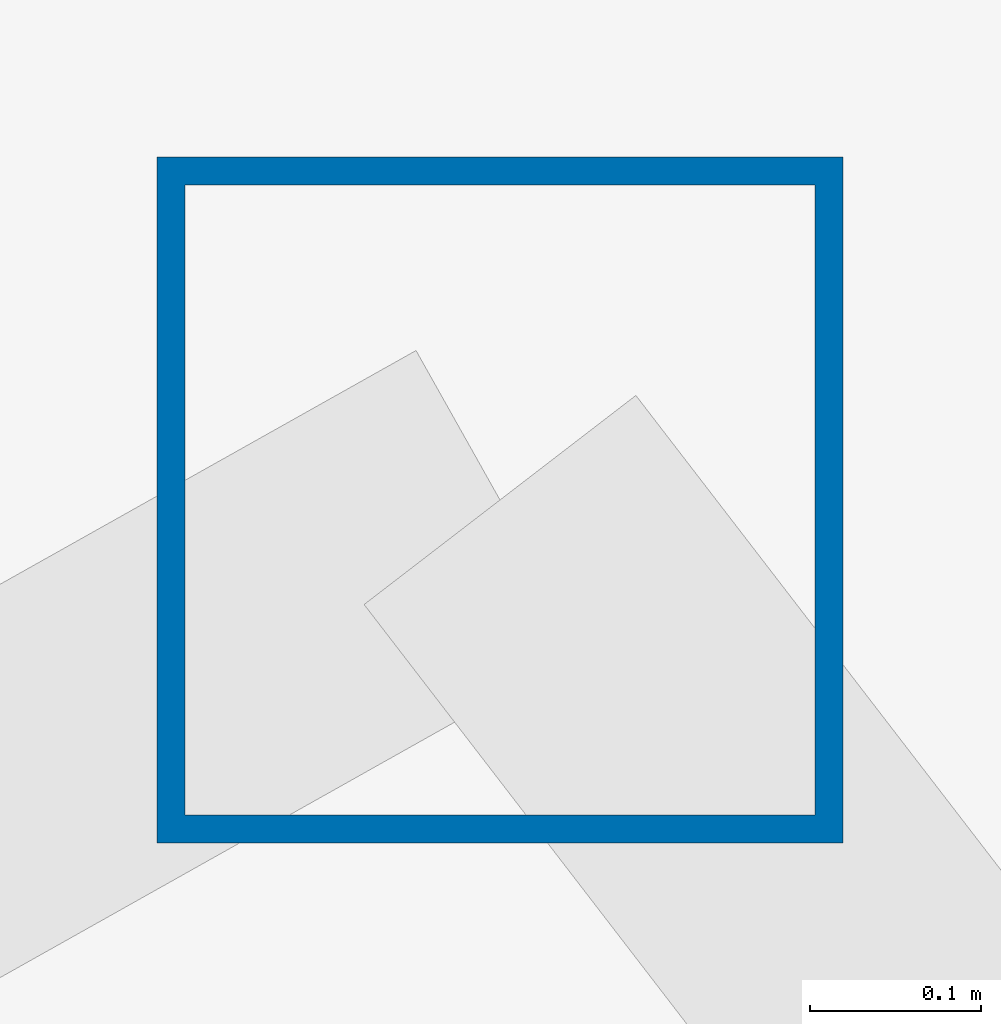
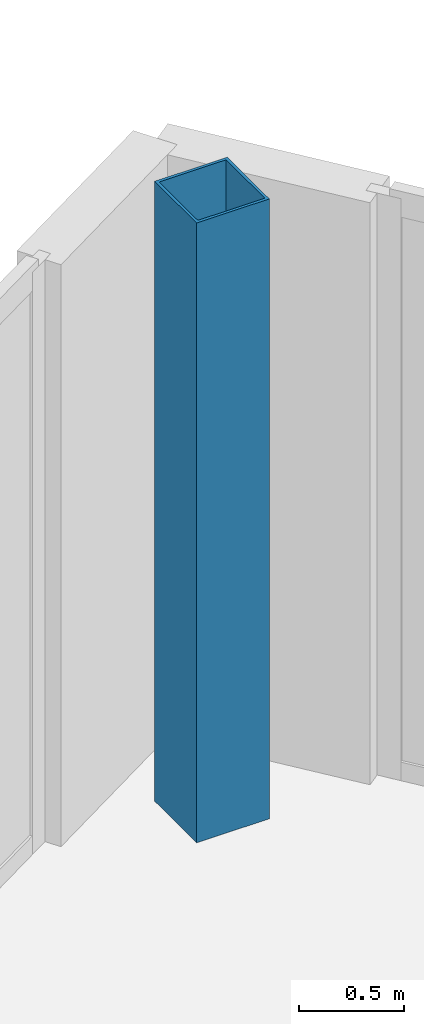
# One storey, part 2 of 26: 1 column.
"""IFC4 building model written with IfcOpenShell, lengths in metres."""

from ifc_helpers import new_model, si_unit, direction, frame, origin, origin_2d, place, context, subcontext, project, spatial, hollow_rectangle, extrude, source, transform, mapped, material, material_profile, profile_set, type_object, type_shapes, element, save


model = new_model("IFC4")

# Units and contexts
model_context = context("Model", 3, precision=1e-05, world=origin(), true_north=direction((0.0, 1.0)))
body_context = subcontext(model_context, "Body", "Model", "MODEL_VIEW")
ifc_project = project(units=[si_unit("LENGTHUNIT", "METRE"), si_unit("AREAUNIT", "SQUARE_METRE"), si_unit("VOLUMEUNIT", "CUBIC_METRE"), si_unit("PLANEANGLEUNIT", "RADIAN"), si_unit("MASSUNIT", "GRAM", prefix="KILO")], contexts=[model_context])

# Site, building, storey
site_placement = place(None, origin())
site = spatial("IfcSite", under=ifc_project, at=site_placement, CompositionType="ELEMENT")
building_placement = place(site_placement, origin())
building = spatial("IfcBuilding", under=site, at=building_placement, Name="Seokmaru Belvedere", CompositionType="ELEMENT")
storey_placement = place(building_placement, frame((0.0, 0.0, 199.5)))
storey = spatial("IfcBuildingStorey", under=building, at=storey_placement, Name="L53", CompositionType="ELEMENT", Elevation=199.5)

# Column
ifc_material = material(Name="Steel SM355 (355 MPa)", Category="steel")
ifc_material_profile = material_profile(ifc_material, hollow_rectangle(XDim=0.39990234375, YDim=0.39990234375, WallThickness=0.01611328125, at=origin_2d()), Name="HSS-400x400x16")
ifc_profile_set = profile_set([ifc_material_profile], Name="Steel SM355 (355 MPa)")
column_type = type_object("IfcColumnType", Name="Perimeter Facet Column HSS-400", PredefinedType="COLUMN", material=ifc_profile_set)
shared_shape = source(origin(), body_context, "Body", "SweptSolid", [
    extrude(hollow_rectangle(XDim=0.39990234375, YDim=0.39990234375, WallThickness=0.01611328125, at=origin_2d()), origin(), (0.0, 0.0, 1.0), 3.60009765625),
])
type_shapes(column_type, [shared_shape])
column_placement = place(storey_placement, frame((-32.649658203125, 21.71044921875, 0.0), z_axis=(0.0, 0.0, 1.0), x_axis=(1.0, 0.0, 0.0)))
element("IfcColumn", 1, at=column_placement, inside=storey, type_object=column_type, Name="L53 Column WF3", PredefinedType="COLUMN", context=body_context, shape_type="MappedRepresentation", body=[
    mapped(shared_shape, transform((0.0, 0.0, 0.0), scale=1.0)),
])

save(model, "model.ifc")
